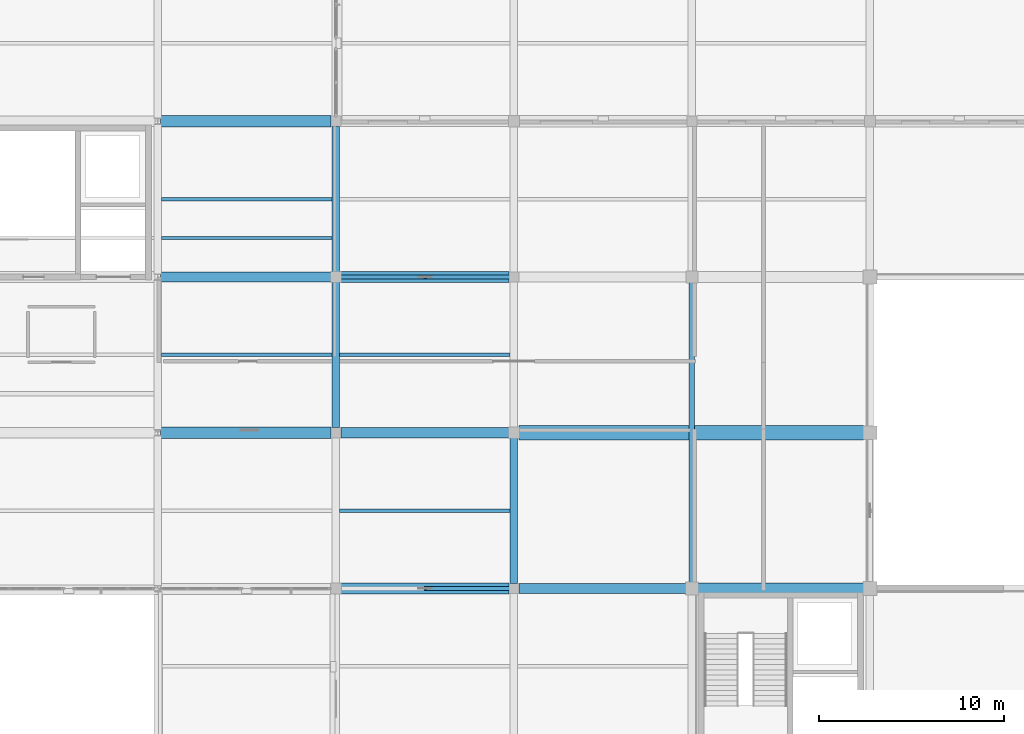
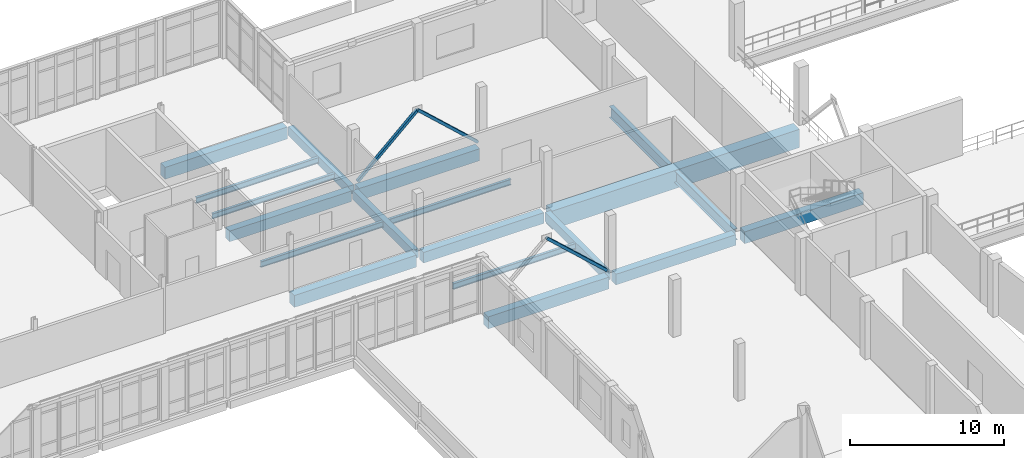
# One storey, part 47 of 88: 18 beams, 3 members.
"""IFC4 building model written with IfcOpenShell, lengths in metres."""

from ifc_helpers import new_model, si_unit, direction, frame, origin, origin_2d, place, context, subcontext, project, spatial, rectangle, hollow_rectangle, i_section, extrude, material, material_profile, profile_set, type_object, element, save


model = new_model("IFC4")

# Units and contexts
model_context = context("Model", 3, precision=1e-05, world=origin(), true_north=direction((0.0, 1.0)))
body_context = subcontext(model_context, "Body", "Model", "MODEL_VIEW")
ifc_project = project(units=[si_unit("LENGTHUNIT", "METRE"), si_unit("AREAUNIT", "SQUARE_METRE"), si_unit("VOLUMEUNIT", "CUBIC_METRE"), si_unit("PLANEANGLEUNIT", "RADIAN"), si_unit("MASSUNIT", "GRAM", prefix="KILO")], contexts=[model_context])

# Site, building, storey
site_placement = place(None, origin())
site = spatial("IfcSite", under=ifc_project, at=site_placement, CompositionType="ELEMENT")
building_placement = place(site_placement, origin())
building = spatial("IfcBuilding", under=site, at=building_placement, Name="Lornevale Opera House", CompositionType="ELEMENT")
storey_placement = place(building_placement, frame((0.0, 0.0, 10.199951171875)))
storey = spatial("IfcBuildingStorey", under=building, at=storey_placement, Name="L03", CompositionType="ELEMENT", Elevation=10.199951171875)

# Beams
ifc_material_1 = material(Name="Concrete 35 MPa (CSA A23.1 N)", Category="concrete")
ifc_material_profile_1 = material_profile(ifc_material_1, rectangle(XDim=0.39990234375, YDim=0.699951171875, at=origin_2d()), Name="RC400x700")
ifc_profile_set_1 = profile_set([ifc_material_profile_1], Name="Concrete 35 MPa (CSA A23.1 N)")
beam_type_1 = type_object("IfcBeamType", Name="Concrete Floor Beam 400x700", PredefinedType="USERDEFINED", material=ifc_profile_set_1)
for number, where, z_axis, x_axis, name in (
    (1, (38.39990234375, 75.875, -0.6298828125), (0.0, 1.0, 0.0), (-1.0, 0.0, 0.0), "Concrete Floor Beam 400x700 2266"),
    (2, (38.39990234375, 84.27490234375, -0.639892578125), (0.0, 1.0, 0.0), (-1.0, 0.0, 0.0), "Concrete Floor Beam 400x700 2267"),
):
    element("IfcBeam", number, at=place(storey_placement, frame(where, z_axis=z_axis, x_axis=x_axis)), inside=storey, type_object=beam_type_1, Name=name, ObjectType="GIRDER", PredefinedType="USERDEFINED", context=body_context, shape_type="SweptSolid", body=[
        extrude(rectangle(XDim=0.39990234375, YDim=0.699951171875, at=origin_2d()), origin(), (0.0, 0.0, 1.0), 7.85009765625),
    ])
beam_1_placement = place(storey_placement, frame((48.0, 67.47509765625, -0.6298828125), z_axis=(0.0, 1.0, 0.0), x_axis=(-1.0, 0.0, 0.0)))
element("IfcBeam", 3, at=beam_1_placement, inside=storey, type_object=beam_type_1, Name="Concrete Floor Beam 400x700 2275", ObjectType="GIRDER", PredefinedType="USERDEFINED", context=body_context, shape_type="SweptSolid", body=[
    extrude(rectangle(XDim=0.39990234375, YDim=0.699951171875, at=origin_2d()), origin(), (0.0, 0.0, 1.0), 7.849853515625),
])
ifc_material_profile_2 = material_profile(ifc_material_1, rectangle(XDim=0.550048828125, YDim=0.85009765625, at=origin_2d()), Name="RC550x850")
ifc_profile_set_2 = profile_set([ifc_material_profile_2], Name="Concrete 35 MPa (CSA A23.1 N)")
beam_type_2 = type_object("IfcBeamType", Name="Concrete Primary Girder 550x850", PredefinedType="USERDEFINED", material=ifc_profile_set_2)
beam_2_placement = place(storey_placement, frame((48.27490234375, 67.199951171875, -0.704833984375), z_axis=(1.0, 0.0, 0.0), x_axis=(0.0, 1.0, 0.0)))
element("IfcBeam", 4, at=beam_2_placement, inside=storey, type_object=beam_type_2, Name="Concrete Primary Girder 550x850 2169", ObjectType="GIRDER", PredefinedType="USERDEFINED", context=body_context, shape_type="SweptSolid", body=[
    extrude(rectangle(XDim=0.550048828125, YDim=0.85009765625, at=origin_2d()), origin(), (0.0, 0.0, 1.0), 9.0),
])
beam_3_placement = place(storey_placement, frame((38.675048828125, 75.60009765625, -0.704833984375), z_axis=(1.0, 0.0, 0.0), x_axis=(0.0, 1.0, 0.0)))
element("IfcBeam", 5, at=beam_3_placement, inside=storey, type_object=beam_type_2, Name="Concrete Primary Girder 550x850 2182", ObjectType="GIRDER", PredefinedType="USERDEFINED", context=body_context, shape_type="SweptSolid", body=[
    extrude(rectangle(XDim=0.550048828125, YDim=0.85009765625, at=origin_2d()), origin(), (0.0, 0.0, 1.0), 9.050048828125),
])
beam_4_placement = place(storey_placement, frame((28.947021484375, 84.0, -0.704833984375), z_axis=(1.0, 0.0, 0.0), x_axis=(0.0, 1.0, 0.0)))
element("IfcBeam", 6, at=beam_4_placement, inside=storey, type_object=beam_type_2, Name="Concrete Primary Girder 550x850 2191", ObjectType="GIRDER", PredefinedType="USERDEFINED", context=body_context, shape_type="SweptSolid", body=[
    extrude(rectangle(XDim=0.550048828125, YDim=0.85009765625, at=origin_2d()), origin(), (0.0, 0.0, 1.0), 9.177978515625),
])
ifc_material_profile_3 = material_profile(ifc_material_1, rectangle(XDim=0.60009765625, YDim=0.949951171875, at=origin_2d()), Name="RC600x950")
ifc_profile_set_3 = profile_set([ifc_material_profile_3], Name="Concrete 35 MPa (CSA A23.1 N)")
beam_type_3 = type_object("IfcBeamType", Name="Concrete Primary Girder 600x950", PredefinedType="USERDEFINED", material=ifc_profile_set_3)
beam_5_placement = place(storey_placement, frame((38.675048828125, 67.199951171875, -0.764892578125), z_axis=(1.0, 0.0, 0.0), x_axis=(0.0, 1.0, 0.0)))
element("IfcBeam", 7, at=beam_5_placement, inside=storey, type_object=beam_type_3, Name="Concrete Primary Girder 600x950 2168", ObjectType="GIRDER", PredefinedType="USERDEFINED", context=body_context, shape_type="SweptSolid", body=[
    extrude(rectangle(XDim=0.60009765625, YDim=0.949951171875, at=origin_2d()), origin(), (0.0, 0.0, 1.0), 9.050048828125),
])
beam_6_placement = place(storey_placement, frame((57.925048828125, 67.199951171875, -0.7548828125), z_axis=(1.0, 0.0, 0.0), x_axis=(0.0, 1.0, 0.0)))
element("IfcBeam", 8, at=beam_6_placement, inside=storey, type_object=beam_type_3, Name="Concrete Primary Girder 600x950 2170", ObjectType="GIRDER", PredefinedType="USERDEFINED", context=body_context, shape_type="SweptSolid", body=[
    extrude(rectangle(XDim=0.60009765625, YDim=0.949951171875, at=origin_2d()), origin(), (0.0, 0.0, 1.0), 8.925048828125),
])
beam_7_placement = place(storey_placement, frame((28.947021484375, 75.60009765625, -0.7548828125), z_axis=(1.0, 0.0, 0.0), x_axis=(0.0, 1.0, 0.0)))
element("IfcBeam", 9, at=beam_7_placement, inside=storey, type_object=beam_type_3, Name="Concrete Primary Girder 600x950 2181", ObjectType="GIRDER", PredefinedType="USERDEFINED", context=body_context, shape_type="SweptSolid", body=[
    extrude(rectangle(XDim=0.60009765625, YDim=0.949951171875, at=origin_2d()), origin(), (0.0, 0.0, 1.0), 9.177978515625),
])
beam_8_placement = place(storey_placement, frame((38.675048828125, 84.0, -0.7548828125), z_axis=(1.0, 0.0, 0.0), x_axis=(0.0, 1.0, 0.0)))
element("IfcBeam", 10, at=beam_8_placement, inside=storey, type_object=beam_type_3, Name="Concrete Primary Girder 600x950 2192", ObjectType="GIRDER", PredefinedType="USERDEFINED", context=body_context, shape_type="SweptSolid", body=[
    extrude(rectangle(XDim=0.60009765625, YDim=0.949951171875, at=origin_2d()), origin(), (0.0, 0.0, 1.0), 9.050048828125),
])
beam_9_placement = place(storey_placement, frame((28.947021484375, 92.39990234375, -0.764892578125), z_axis=(1.0, 0.0, 0.0), x_axis=(0.0, 1.0, 0.0)))
element("IfcBeam", 11, at=beam_9_placement, inside=storey, type_object=beam_type_3, Name="Concrete Primary Girder 600x950 2204", ObjectType="GIRDER", PredefinedType="USERDEFINED", context=body_context, shape_type="SweptSolid", body=[
    extrude(rectangle(XDim=0.60009765625, YDim=0.949951171875, at=origin_2d()), origin(), (0.0, 0.0, 1.0), 9.177978515625),
])
ifc_material_2 = material(Name="Concrete 40 MPa (CSA A23.1 C-1)", Category="concrete")
ifc_material_profile_4 = material_profile(ifc_material_2, rectangle(XDim=0.800048828125, YDim=1.449951171875, at=origin_2d()), Name="RC800x1450")
ifc_profile_set_4 = profile_set([ifc_material_profile_4], Name="Concrete 40 MPa (CSA A23.1 C-1)")
beam_type_4 = type_object("IfcBeamType", Name="Concrete Transfer Girder 800x1450", PredefinedType="USERDEFINED", material=ifc_profile_set_4)
beam_10_placement = place(storey_placement, frame((48.27490234375, 75.60009765625, -1.0048828125), z_axis=(1.0, 0.0, 0.0), x_axis=(0.0, 1.0, 0.0)))
element("IfcBeam", 12, at=beam_10_placement, inside=storey, type_object=beam_type_4, Name="Concrete Transfer Girder 800x1450 2183", ObjectType="TRANSFER GIRDER", PredefinedType="USERDEFINED", context=body_context, shape_type="SweptSolid", body=[
    extrude(rectangle(XDim=0.800048828125, YDim=1.449951171875, at=origin_2d()), origin(), (0.0, 0.0, 1.0), 18.5751953125),
])
ifc_material_3 = material(Name="Structural Steel CSA G40.21 Grade 350W (350 MPa)", Category="steel")
ifc_material_profile_5 = material_profile(ifc_material_3, i_section(OverallWidth=0.19189453125, OverallDepth=0.462890625, WebThickness=0.010498046875, FlangeThickness=0.017578125, at=origin_2d()), Name="W460x89")
ifc_profile_set_5 = profile_set([ifc_material_profile_5], Name="Structural Steel CSA G40.21 Grade 350W (350 MPa)")
beam_type_5 = type_object("IfcBeamType", Name="Steel Floor Joist W460x89", PredefinedType="JOIST", material=ifc_profile_set_5)
for number, where, z_axis, x_axis, name in (
    (13, (29.0, 79.800048828125, -0.5263671875), (1.0, 0.0, 0.0), (0.0, 1.0, 0.0), "Steel Floor Joist W460x89 2386"),
    (14, (29.0, 88.199951171875, -0.536376953125), (1.0, 0.0, 0.0), (0.0, 1.0, 0.0), "Steel Floor Joist W460x89 2387"),
    (15, (38.60009765625, 71.39990234375, -0.536376953125), (1.0, 0.0, 0.0), (0.0, 1.0, 0.0), "Steel Floor Joist W460x89 2395"),
    (16, (38.60009765625, 79.800048828125, -0.5263671875), (1.0, 0.0, 0.0), (0.0, 1.0, 0.0), "Steel Floor Joist W460x89 2396"),
):
    element("IfcBeam", number, at=place(storey_placement, frame(where, z_axis=z_axis, x_axis=x_axis)), inside=storey, type_object=beam_type_5, Name=name, PredefinedType="JOIST", context=body_context, shape_type="SweptSolid", body=[
        extrude(i_section(OverallWidth=0.19189453125, OverallDepth=0.462890625, WebThickness=0.010498046875, FlangeThickness=0.017578125, at=origin_2d()), origin(), (0.0, 0.0, 1.0), 9.199951171875),
    ])
ifc_material_profile_6 = material_profile(ifc_material_3, i_section(OverallWidth=0.305908203125, OverallDepth=0.9189453125, WebThickness=0.017333984375, FlangeThickness=0.02783203125, at=origin_2d()), Name="W920x253")
ifc_profile_set_6 = profile_set([ifc_material_profile_6], Name="Structural Steel CSA G40.21 Grade 350W (350 MPa)")
beam_type_6 = type_object("IfcBeamType", Name="Steel Stagehouse Girder W920x253", PredefinedType="USERDEFINED", material=ifc_profile_set_6)
beam_11_placement = place(storey_placement, frame((57.60009765625, 67.52490234375, -0.75439453125), z_axis=(0.0, 1.0, 0.0), x_axis=(-1.0, 0.0, 0.0)))
element("IfcBeam", 17, at=beam_11_placement, inside=storey, type_object=beam_type_6, Name="Steel Stagehouse Girder W920x253 2285", ObjectType="GIRDER", PredefinedType="USERDEFINED", context=body_context, shape_type="SweptSolid", body=[
    extrude(i_section(OverallWidth=0.305908203125, OverallDepth=0.9189453125, WebThickness=0.017333984375, FlangeThickness=0.02783203125, at=origin_2d()), origin(), (0.0, 0.0, 1.0), 16.175048828125),
])
ifc_material_profile_7 = material_profile(ifc_material_3, i_section(OverallWidth=0.180908203125, OverallDepth=0.4169921875, WebThickness=0.010986328125, FlangeThickness=0.018310546875, at=origin_2d()), Name="W410x85")
ifc_profile_set_7 = profile_set([ifc_material_profile_7], Name="Structural Steel CSA G40.21 Grade 350W (350 MPa)")
beam_type_7 = type_object("IfcBeamType", Name="Studio Gallery Beam W410x85", PredefinedType="JOIST", material=ifc_profile_set_7)
beam_12_placement = place(storey_placement, frame((29.0, 86.10009765625, -0.52001953125), z_axis=(1.0, 0.0, 0.0), x_axis=(0.0, 1.0, 0.0)))
element("IfcBeam", 18, at=beam_12_placement, inside=storey, type_object=beam_type_7, Name="Studio Gallery Beam W410x85 3049", PredefinedType="JOIST", context=body_context, shape_type="SweptSolid", body=[
    extrude(i_section(OverallWidth=0.180908203125, OverallDepth=0.4169921875, WebThickness=0.010986328125, FlangeThickness=0.018310546875, at=origin_2d()), origin(), (0.0, 0.0, 1.0), 9.35009765625),
])

# Members
ifc_material_profile_8 = material_profile(ifc_material_3, hollow_rectangle(XDim=0.202880859375, YDim=0.202880859375, WallThickness=0.0126953125, at=origin_2d()), Name="HSS203x203x13")
ifc_profile_set_8 = profile_set([ifc_material_profile_8], Name="Structural Steel CSA G40.21 Grade 350W (350 MPa)")
member_type = type_object("IfcMemberType", Name="Workshop Lateral Brace HSS203x203x13", PredefinedType="BRACE", material=ifc_profile_set_8)
member_1_placement = place(storey_placement, frame((47.72509765625, 67.199951171875, 0.10009765625), z_axis=(-0.737703906557, 0.0, 0.675124393168), x_axis=(0.0, -1.0, 0.0)))
element("IfcMember", 19, at=member_1_placement, inside=storey, type_object=member_type, Name="Workshop Lateral Brace HSS203x203x13 0135", PredefinedType="BRACE", context=body_context, shape_type="SweptSolid", body=[
    extrude(hollow_rectangle(XDim=0.202880859375, YDim=0.202880859375, WallThickness=0.0126953125, at=origin_2d()), origin(), (0.0, 0.0, 1.0), 6.1171875),
])
member_2_placement = place(storey_placement, frame((38.699951171875, 84.0, 0.10009765625), z_axis=(0.737685714873, 0.0, 0.675144270562), x_axis=(0.0, 1.0, 0.0)))
element("IfcMember", 20, at=member_2_placement, inside=storey, type_object=member_type, Name="Workshop Lateral Brace HSS203x203x13 0142", PredefinedType="BRACE", context=body_context, shape_type="SweptSolid", body=[
    extrude(hollow_rectangle(XDim=0.202880859375, YDim=0.202880859375, WallThickness=0.0126953125, at=origin_2d()), origin(), (0.0, 0.0, 1.0), 6.116943359375),
])
member_3_placement = place(storey_placement, frame((47.72509765625, 84.0, 0.10009765625), z_axis=(-0.737703906557, 0.0, 0.675124393168), x_axis=(0.0, -1.0, 0.0)))
element("IfcMember", 21, at=member_3_placement, inside=storey, type_object=member_type, Name="Workshop Lateral Brace HSS203x203x13 0143", PredefinedType="BRACE", context=body_context, shape_type="SweptSolid", body=[
    extrude(hollow_rectangle(XDim=0.202880859375, YDim=0.202880859375, WallThickness=0.0126953125, at=origin_2d()), origin(), (0.0, 0.0, 1.0), 6.1171875),
])

save(model, "model.ifc")
